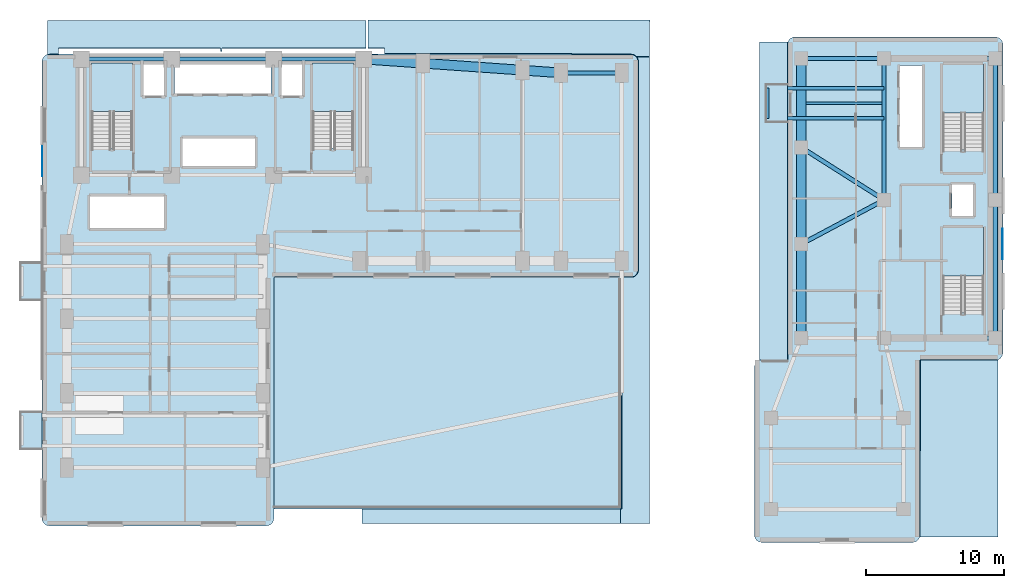
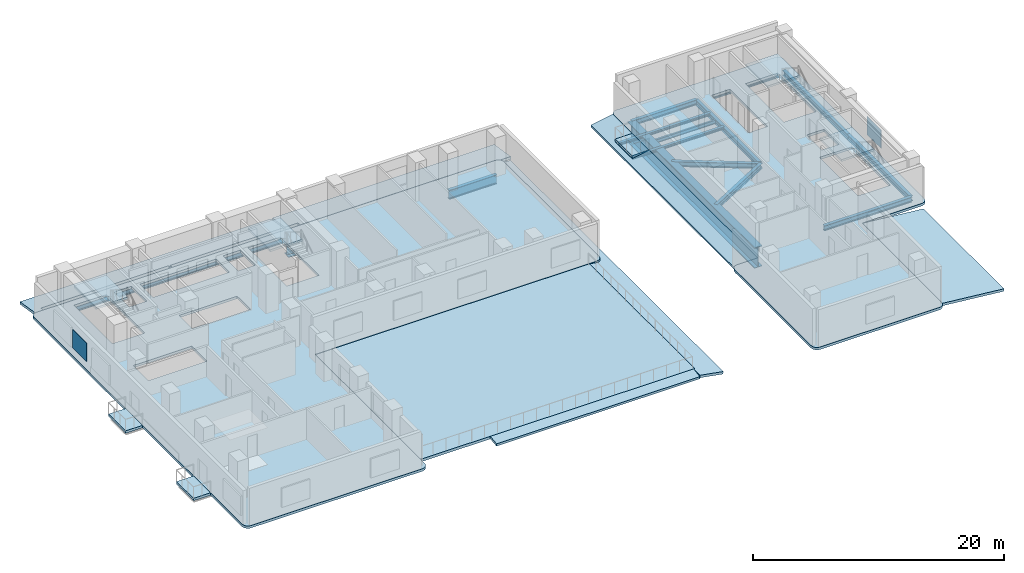
# One storey, part 2 of 10: 18 beams, 16 slabs, 2 plates, 4 elements without a shape of their own.
"""IFC4 building model written with IfcOpenShell, lengths in metres."""

from ifc_helpers import new_model, si_unit, direction, frame, origin, origin_2d, place, context, subcontext, project, spatial, polyline, rectangle, i_section, outline, extrude, material, layer, layer_set, material_profile, profile_set, type_object, element, aggregate, save


model = new_model("IFC4")

# Units and contexts
model_context = context("Model", 3, precision=1e-05, world=origin(), true_north=direction((0.0, 1.0)))
body_context = subcontext(model_context, "Body", "Model", "MODEL_VIEW")
ifc_project = project(units=[si_unit("LENGTHUNIT", "METRE"), si_unit("AREAUNIT", "SQUARE_METRE"), si_unit("VOLUMEUNIT", "CUBIC_METRE"), si_unit("PLANEANGLEUNIT", "RADIAN"), si_unit("MASSUNIT", "GRAM", prefix="KILO")], contexts=[model_context])

# Site, building, storey
site_placement = place(None, origin())
site = spatial("IfcSite", under=ifc_project, at=site_placement, CompositionType="ELEMENT")
building_placement = place(site_placement, origin())
building = spatial("IfcBuilding", under=site, at=building_placement, Name="Kuzgunbayir Cultural Tower", CompositionType="ELEMENT")
storey_placement = place(building_placement, frame((0.0, 0.0, 26.39990234375)))
storey = spatial("IfcBuildingStorey", under=building, at=storey_placement, Name="L06", CompositionType="ELEMENT", Elevation=26.39990234375)

# Beams
ifc_material_1 = material(Name="Steel S355J2", Category="steel")
ifc_material_profile_1 = material_profile(ifc_material_1, i_section(OverallWidth=0.260009765625, OverallDepth=0.260009765625, WebThickness=0.010009765625, FlangeThickness=0.017578125, FilletRadius=0.02392578125, at=origin_2d()), Name="HEB 260")
ifc_profile_set_1 = profile_set([ifc_material_profile_1], Name="Steel S355J2")
beam_type_1 = type_object("IfcBeamType", Name="BM-BAL-HEB260", PredefinedType="BEAM", material=ifc_profile_set_1)
for number, where, z_axis, x_axis, name in (
    (1, (56.159912109375, 37.89990234375, -0.369873046875), (1.0, 0.0, 0.0), (0.0, 1.0, 0.0), "L06 Companion Balcony Outrigger BAL-L06-T2W3.1"),
    (2, (56.159912109375, 40.10009765625, -0.369873046875), (1.0, 0.0, 0.0), (0.0, 1.0, 0.0), "L06 Companion Balcony Outrigger BAL-L06-T2W3.2"),
):
    element("IfcBeam", number, at=place(storey_placement, frame(where, z_axis=z_axis, x_axis=x_axis)), inside=storey, type_object=beam_type_1, Name=name, PredefinedType="BEAM", context=body_context, shape_type="SweptSolid", body=[
        extrude(i_section(OverallWidth=0.260009765625, OverallDepth=0.260009765625, WebThickness=0.010009765625, FlangeThickness=0.017578125, FilletRadius=0.02392578125, at=origin_2d()), origin(), (0.0, 0.0, 1.0), 8.440185546875),
    ])
ifc_material_profile_2 = material_profile(ifc_material_1, i_section(OverallWidth=0.199951171875, OverallDepth=0.199951171875, WebThickness=0.009033203125, FlangeThickness=0.014892578125, FilletRadius=0.01806640625, at=origin_2d()), Name="HEB 200")
ifc_profile_set_2 = profile_set([ifc_material_profile_2], Name="Steel S355J2")
beam_type_2 = type_object("IfcBeamType", Name="BM-CAN-HEB200", PredefinedType="BEAM", material=ifc_profile_set_2)
beam_1_placement = place(storey_placement, frame((56.159912109375, 37.89990234375, -0.33984375), z_axis=(0.0, 1.0, 0.0), x_axis=(-1.0, 0.0, 0.0)))
element("IfcBeam", 3, at=beam_1_placement, inside=storey, type_object=beam_type_2, Name="L06 Companion Balcony Header BAL-L06-T2W3", PredefinedType="BEAM", context=body_context, shape_type="SweptSolid", body=[
    extrude(i_section(OverallWidth=0.199951171875, OverallDepth=0.199951171875, WebThickness=0.009033203125, FlangeThickness=0.014892578125, FilletRadius=0.01806640625, at=origin_2d()), origin(), (0.0, 0.0, 1.0), 2.2001953125),
])
ifc_material_profile_3 = material_profile(ifc_material_1, i_section(OverallWidth=0.300048828125, OverallDepth=0.5, WebThickness=0.014404296875, FlangeThickness=0.028076171875, FilletRadius=0.027099609375, at=origin_2d()), Name="HEB 500")
ifc_profile_set_3 = profile_set([ifc_material_profile_3], Name="Steel S355J2")
beam_type_3 = type_object("IfcBeamType", Name="BM-GIR-HEB500", PredefinedType="BEAM", material=ifc_profile_set_3)
beam_2_placement = place(storey_placement, frame((58.60009765625, 28.800048828125, -0.489990234375), z_axis=(0.882355922736, 0.470582644828, 0.0), x_axis=(-0.470582644828, 0.882355922736, 0.0)))
element("IfcBeam", 4, at=beam_2_placement, inside=storey, type_object=beam_type_3, Name="L06 Companion Transverse Girder 2", PredefinedType="BEAM", context=body_context, shape_type="SweptSolid", body=[
    extrude(i_section(OverallWidth=0.300048828125, OverallDepth=0.5, WebThickness=0.014404296875, FlangeThickness=0.028076171875, FilletRadius=0.027099609375, at=origin_2d()), origin(), (0.0, 0.0, 1.0), 6.800048828125),
])
beam_3_placement = place(storey_placement, frame((58.60009765625, 35.800048828125, -0.489990234375), z_axis=(0.844815967829, -0.535056988088, 0.0), x_axis=(0.535056988088, 0.844815967829, 0.0)))
element("IfcBeam", 5, at=beam_3_placement, inside=storey, type_object=beam_type_3, Name="L06 Companion Transverse Girder 3", PredefinedType="BEAM", context=body_context, shape_type="SweptSolid", body=[
    extrude(i_section(OverallWidth=0.300048828125, OverallDepth=0.5, WebThickness=0.014404296875, FlangeThickness=0.028076171875, FilletRadius=0.027099609375, at=origin_2d()), origin(), (0.0, 0.0, 1.0), 7.10205078125),
])
beam_4_placement = place(storey_placement, frame((58.60009765625, 42.25, -0.489990234375), z_axis=(1.0, 0.0, 0.0), x_axis=(0.0, 1.0, 0.0)))
element("IfcBeam", 6, at=beam_4_placement, inside=storey, type_object=beam_type_3, Name="L06 Companion Transverse Girder 4", PredefinedType="BEAM", context=body_context, shape_type="SweptSolid", body=[
    extrude(i_section(OverallWidth=0.300048828125, OverallDepth=0.5, WebThickness=0.014404296875, FlangeThickness=0.028076171875, FilletRadius=0.027099609375, at=origin_2d()), origin(), (0.0, 0.0, 1.0), 6.0),
])
beam_5_placement = place(storey_placement, frame((64.60009765625, 32.0, -0.489990234375), z_axis=(0.0, 1.0, 0.0), x_axis=(-1.0, 0.0, 0.0)))
element("IfcBeam", 7, at=beam_5_placement, inside=storey, type_object=beam_type_3, Name="L06 Companion Core West Girder 2", PredefinedType="BEAM", context=body_context, shape_type="SweptSolid", body=[
    extrude(i_section(OverallWidth=0.300048828125, OverallDepth=0.5, WebThickness=0.014404296875, FlangeThickness=0.028076171875, FilletRadius=0.027099609375, at=origin_2d()), origin(), (0.0, 0.0, 1.0), 10.25),
])
beam_6_placement = place(storey_placement, frame((72.64990234375, 22.0, -0.489990234375), z_axis=(0.0, 1.0, 0.0), x_axis=(-1.0, 0.0, 0.0)))
element("IfcBeam", 8, at=beam_6_placement, inside=storey, type_object=beam_type_3, Name="L06 Companion Core East Girder 1", PredefinedType="BEAM", context=body_context, shape_type="SweptSolid", body=[
    extrude(i_section(OverallWidth=0.300048828125, OverallDepth=0.5, WebThickness=0.014404296875, FlangeThickness=0.028076171875, FilletRadius=0.027099609375, at=origin_2d()), origin(), (0.0, 0.0, 1.0), 10.0),
])
beam_7_placement = place(storey_placement, frame((72.64990234375, 32.0, -0.489990234375), z_axis=(0.0, 1.0, 0.0), x_axis=(-1.0, 0.0, 0.0)))
element("IfcBeam", 9, at=beam_7_placement, inside=storey, type_object=beam_type_3, Name="L06 Companion Core East Girder 2", PredefinedType="BEAM", context=body_context, shape_type="SweptSolid", body=[
    extrude(i_section(OverallWidth=0.300048828125, OverallDepth=0.5, WebThickness=0.014404296875, FlangeThickness=0.028076171875, FilletRadius=0.027099609375, at=origin_2d()), origin(), (0.0, 0.0, 1.0), 10.25),
])
for number, where, z_axis, x_axis, name in (
    (10, (64.60009765625, 22.0, -0.489990234375), (1.0, 0.0, 0.0), (0.0, 1.0, 0.0), "L06 Companion Core South Girder"),
    (11, (64.60009765625, 42.25, -0.489990234375), (1.0, 0.0, 0.0), (0.0, 1.0, 0.0), "L06 Companion Core North Girder"),
):
    element("IfcBeam", number, at=place(storey_placement, frame(where, z_axis=z_axis, x_axis=x_axis)), inside=storey, type_object=beam_type_3, Name=name, PredefinedType="BEAM", context=body_context, shape_type="SweptSolid", body=[
        extrude(i_section(OverallWidth=0.300048828125, OverallDepth=0.5, WebThickness=0.014404296875, FlangeThickness=0.028076171875, FilletRadius=0.027099609375, at=origin_2d()), origin(), (0.0, 0.0, 1.0), 8.0498046875),
    ])
ifc_material_profile_4 = material_profile(ifc_material_1, i_section(OverallWidth=0.300048828125, OverallDepth=0.60009765625, WebThickness=0.015380859375, FlangeThickness=0.030029296875, FilletRadius=0.027099609375, at=origin_2d()), Name="HEB 600")
ifc_profile_set_4 = profile_set([ifc_material_profile_4], Name="Steel S355J2")
beam_type_4 = type_object("IfcBeamType", Name="BM-GIR-HEB600", PredefinedType="BEAM", material=ifc_profile_set_4)
beam_8_placement = place(storey_placement, frame((6.449951171875, 42.199951171875, -0.539794921875), z_axis=(1.0, 0.0, 0.0), x_axis=(0.0, 1.0, 0.0)))
element("IfcBeam", 12, at=beam_8_placement, inside=storey, type_object=beam_type_4, Name="L06 Core North Girder 1", PredefinedType="BEAM", context=body_context, shape_type="SweptSolid", body=[
    extrude(i_section(OverallWidth=0.300048828125, OverallDepth=0.60009765625, WebThickness=0.015380859375, FlangeThickness=0.030029296875, FilletRadius=0.027099609375, at=origin_2d()), origin(), (0.0, 0.0, 1.0), 6.550048828125),
])
beam_9_placement = place(storey_placement, frame((13.0, 42.199951171875, -0.539794921875), z_axis=(1.0, 0.0, 0.0), x_axis=(0.0, 1.0, 0.0)))
element("IfcBeam", 13, at=beam_9_placement, inside=storey, type_object=beam_type_4, Name="L06 Core North Girder 2", PredefinedType="BEAM", context=body_context, shape_type="SweptSolid", body=[
    extrude(i_section(OverallWidth=0.300048828125, OverallDepth=0.60009765625, WebThickness=0.015380859375, FlangeThickness=0.030029296875, FilletRadius=0.027099609375, at=origin_2d()), origin(), (0.0, 0.0, 1.0), 7.39990234375),
])
beam_10_placement = place(storey_placement, frame((20.39990234375, 42.199951171875, -0.539794921875), z_axis=(1.0, 0.0, 0.0), x_axis=(0.0, 1.0, 0.0)))
element("IfcBeam", 14, at=beam_10_placement, inside=storey, type_object=beam_type_4, Name="L06 Core North Girder 3", PredefinedType="BEAM", context=body_context, shape_type="SweptSolid", body=[
    extrude(i_section(OverallWidth=0.300048828125, OverallDepth=0.60009765625, WebThickness=0.015380859375, FlangeThickness=0.030029296875, FilletRadius=0.027099609375, at=origin_2d()), origin(), (0.0, 0.0, 1.0), 6.5),
])
ifc_material_2 = material(Name="Steel S460M", Category="steel")
ifc_material_profile_5 = material_profile(ifc_material_2, i_section(OverallWidth=0.300048828125, OverallDepth=0.89990234375, WebThickness=0.0185546875, FlangeThickness=0.034912109375, FilletRadius=0.030029296875, at=origin_2d()), Name="HEB 900")
ifc_profile_set_5 = profile_set([ifc_material_profile_5], Name="Steel S460M")
beam_type_5 = type_object("IfcBeamType", Name="BM-GIR-HEB900", PredefinedType="BEAM", material=ifc_profile_set_5)
beam_11_placement = place(storey_placement, frame((41.199951171875, 41.199951171875, -0.68994140625), z_axis=(1.0, 0.0, 0.0), x_axis=(0.0, 1.0, 0.0)))
element("IfcBeam", 15, at=beam_11_placement, inside=storey, type_object=beam_type_5, Name="L06 Wing B East North Girder", PredefinedType="BEAM", context=body_context, shape_type="SweptSolid", body=[
    extrude(i_section(OverallWidth=0.300048828125, OverallDepth=0.89990234375, WebThickness=0.0185546875, FlangeThickness=0.034912109375, FilletRadius=0.030029296875, at=origin_2d()), origin(), (0.0, 0.0, 1.0), 4.400146484375),
])
ifc_material_profile_6 = material_profile(ifc_material_1, i_section(OverallWidth=0.169921875, OverallDepth=0.360107421875, WebThickness=0.008056640625, FlangeThickness=0.0126953125, FilletRadius=0.01806640625, at=origin_2d()), Name="IPE 360")
ifc_profile_set_6 = profile_set([ifc_material_profile_6], Name="Steel S355J2")
beam_type_6 = type_object("IfcBeamType", Name="BM-JST-IPE360", PredefinedType="JOIST", material=ifc_profile_set_6)
beam_12_placement = place(storey_placement, frame((58.949951171875, 39.0, -0.419921875), z_axis=(1.0, 0.0, 0.0), x_axis=(0.0, 1.0, 0.0)))
element("IfcBeam", 16, at=beam_12_placement, inside=storey, type_object=beam_type_6, Name="L06 Companion Joist", PredefinedType="JOIST", context=body_context, shape_type="SweptSolid", body=[
    extrude(i_section(OverallWidth=0.169921875, OverallDepth=0.360107421875, WebThickness=0.008056640625, FlangeThickness=0.0126953125, FilletRadius=0.01806640625, at=origin_2d()), origin(), (0.0, 0.0, 1.0), 5.5),
])
ifc_material_profile_7 = material_profile(ifc_material_2, i_section(OverallWidth=0.699951171875, OverallDepth=2.0, WebThickness=0.035888671875, FlangeThickness=0.06005859375, at=origin_2d()), Name="PG 2000x700x36x60")
ifc_profile_set_7 = profile_set([ifc_material_profile_7], Name="Steel S460M")
beam_type_7 = type_object("IfcBeamType", Name="BM-TR-PG2000", PredefinedType="BEAM", material=ifc_profile_set_7)
beam_13_placement = place(storey_placement, frame((26.89990234375, 42.199951171875, -1.239990234375), z_axis=(0.997563840671, -0.06975947094, 0.0), x_axis=(0.06975947094, 0.997563840671, 0.0)))
element("IfcBeam", 17, at=beam_13_placement, inside=storey, type_object=beam_type_7, Name="L06 Wing B North Transfer Girder", PredefinedType="BEAM", context=body_context, shape_type="SweptSolid", body=[
    extrude(i_section(OverallWidth=0.699951171875, OverallDepth=2.0, WebThickness=0.035888671875, FlangeThickness=0.06005859375, at=origin_2d()), origin(), (0.0, 0.0, 1.0), 14.3349609375),
])
beam_14_placement = place(storey_placement, frame((58.60009765625, 22.0, -1.239990234375), z_axis=(0.0, 1.0, 0.0), x_axis=(-1.0, 0.0, 0.0)))
element("IfcBeam", 18, at=beam_14_placement, inside=storey, type_object=beam_type_7, Name="L06 Companion Wing A Transfer Girder", PredefinedType="BEAM", context=body_context, shape_type="SweptSolid", body=[
    extrude(i_section(OverallWidth=0.699951171875, OverallDepth=2.0, WebThickness=0.035888671875, FlangeThickness=0.06005859375, at=origin_2d()), origin(), (0.0, 0.0, 1.0), 20.25),
])

# Plates
ifc_material_3 = material(Name="Perforated Bronze-Anodised Aluminium", Category="aluminium")
ifc_layer_1 = layer(ifc_material_3, 0.02392578125)
ifc_layer_set_1 = layer_set([ifc_layer_1], Name="Perforated Bronze-Anodised Aluminium")
plate_type = type_object("IfcPlateType", Name="PLT-SOLAR-SCREEN-14", PredefinedType="SHEET", material=ifc_layer_set_1)
for number, where, z_axis, x_axis, name in (
    (19, (3.6298828125, 34.800048828125, 0.75), (0.0, 0.0, 1.0), (1.0, 0.0, 0.0), "L06 Tower 1 Perforated Ceramic Solar Screen Panel"),
    (20, (73.169921875, 28.800048828125, 0.75), (0.0, 0.0, 1.0), (1.0, 0.0, 0.0), "L06 Companion Perforated Ceramic Solar Screen Panel"),
):
    element("IfcPlate", number, at=place(storey_placement, frame(where, z_axis=z_axis, x_axis=x_axis)), inside=storey, type_object=plate_type, Name=name, PredefinedType="SHEET", context=body_context, shape_type="SweptSolid", body=[
        extrude(rectangle(XDim=0.02392578125, YDim=2.199951171875, at=origin_2d()), origin(), (0.0, 0.0, 1.0), 1.800048828125),
    ])

# Slabs
ifc_material_4 = material(Name="Concrete C40/50", Category="concrete")
ifc_layer_2 = layer(ifc_material_4, 0.239990234375)
ifc_layer_set_2 = layer_set([ifc_layer_2], Name="Concrete C40/50")
slab_type_1 = type_object("IfcSlabType", Name="SLB-BAL-TRN", PredefinedType="FLOOR", material=ifc_layer_set_2)
slab_1_placement = place(storey_placement, frame((0.0, 0.0, -0.239990234375)))
element("IfcSlab", 21, at=slab_1_placement, inside=storey, type_object=slab_type_1, Name="L06 Projecting Limestone Balcony BAL-L06-WA1", PredefinedType="FLOOR", context=body_context, shape_type="SweptSolid", body=[
    extrude(outline(polyline([(2.0400390625, 13.949951171875), (3.60009765625, 13.949951171875), (3.60009765625, 16.64990234375), (2.0400390625, 16.64990234375), (2.0400390625, 13.949951171875)])), origin(), (0.0, 0.0, 1.0), 0.239990234375),
])
slab_2_placement = place(storey_placement, frame((0.0, 0.0, -0.239990234375)))
element("IfcSlab", 22, at=slab_2_placement, inside=storey, type_object=slab_type_1, Name="L06 Projecting Limestone Balcony BAL-L06-WA3", PredefinedType="FLOOR", context=body_context, shape_type="SweptSolid", body=[
    extrude(outline(polyline([(2.0400390625, 24.75), (3.60009765625, 24.75), (3.60009765625, 27.449951171875), (2.0400390625, 27.449951171875), (2.0400390625, 24.75)])), origin(), (0.0, 0.0, 1.0), 0.239990234375),
])
slab_3_placement = place(storey_placement, frame((0.0, 0.0, -0.239990234375)))
element("IfcSlab", 23, at=slab_3_placement, inside=storey, type_object=slab_type_1, Name="L06 Projecting Limestone Balcony BAL-L06-T2W3", PredefinedType="FLOOR", context=body_context, shape_type="SweptSolid", body=[
    extrude(outline(polyline([(56.0400390625, 37.64990234375), (57.60009765625, 37.64990234375), (57.60009765625, 40.35009765625), (56.0400390625, 40.35009765625), (56.0400390625, 37.64990234375)])), origin(), (0.0, 0.0, 1.0), 0.239990234375),
])
ifc_layer_3 = layer(ifc_material_4, 0.260009765625)
ifc_layer_set_3 = layer_set([ifc_layer_3], Name="Concrete C40/50")
slab_type_2 = type_object("IfcSlabType", Name="SLB-GARDEN-260", PredefinedType="FLOOR", material=ifc_layer_set_3)
slab_4_placement = place(storey_placement, frame((0.0, 0.0, -0.260009765625)))
element("IfcSlab", 24, at=slab_4_placement, inside=storey, type_object=slab_type_2, Name="L06 Stepped Sculpture Roof Garden", PredefinedType="FLOOR", context=body_context, shape_type="SweptSolid", body=[
    extrude(outline(polyline([(20.419921875, 9.60009765625), (45.60009765625, 9.60009765625), (45.60009765625, 26.3798828125), (20.419921875, 26.3798828125), (20.419921875, 9.60009765625)])), origin(), (0.0, 0.0, 1.0), 0.260009765625),
])

# Stair, slab
stair_type = type_object("IfcStairType", Name="STR-EXIT-CORE", PredefinedType="HALF_TURN_STAIR", material=ifc_material_4)
stair_1_placement = place(storey_placement, origin())
stair_1 = element("IfcStair", 25, at=stair_1_placement, inside=storey, type_object=stair_type, Name="L06 ST-1", PredefinedType="HALF_TURN_STAIR")
ifc_layer_4 = layer(ifc_material_4, 0.179931640625)
ifc_layer_set_4 = layer_set([ifc_layer_4], Name="Concrete C40/50")
slab_type_3 = type_object("IfcSlabType", Name="SLB-LANDING-180", PredefinedType="LANDING", material=ifc_layer_set_4)
slab_5_placement = place(storey_placement, frame((0.0, 0.0, 1.7001953125)))
slab_5 = element("IfcSlab", 26, at=slab_5_placement, type_object=slab_type_3, Name="ST-1 landing 1", PredefinedType="LANDING", context=body_context, shape_type="SweptSolid", body=[
    extrude(outline(polyline([(10.159912109375, 38.39990234375), (10.159912109375, 41.89990234375), (7.199951171875, 41.89990234375), (7.199951171875, 38.39990234375), (10.159912109375, 38.39990234375)])), origin(), (0.0, 0.0, 1.0), 0.199951171875),
])
aggregate(stair_1, [slab_5])

stair_2_placement = place(storey_placement, origin())
stair_2 = element("IfcStair", 27, at=stair_2_placement, inside=storey, type_object=stair_type, Name="L06 ST-2", PredefinedType="HALF_TURN_STAIR")
slab_6_placement = place(storey_placement, frame((0.0, 0.0, 1.7001953125)))
slab_6 = element("IfcSlab", 28, at=slab_6_placement, type_object=slab_type_3, Name="ST-2 landing 1", PredefinedType="LANDING", context=body_context, shape_type="SweptSolid", body=[
    extrude(outline(polyline([(26.159912109375, 38.39990234375), (26.159912109375, 41.89990234375), (23.199951171875, 41.89990234375), (23.199951171875, 38.39990234375), (26.159912109375, 38.39990234375)])), origin(), (0.0, 0.0, 1.0), 0.199951171875),
])
aggregate(stair_2, [slab_6])

stair_3_placement = place(storey_placement, origin())
stair_3 = element("IfcStair", 29, at=stair_3_placement, inside=storey, type_object=stair_type, Name="L06 ST-3", PredefinedType="HALF_TURN_STAIR")
slab_7_placement = place(storey_placement, frame((0.0, 0.0, 1.7001953125)))
slab_7 = element("IfcSlab", 30, at=slab_7_placement, type_object=slab_type_3, Name="ST-3 landing 1", PredefinedType="LANDING", context=body_context, shape_type="SweptSolid", body=[
    extrude(outline(polyline([(71.800048828125, 26.5), (71.800048828125, 30.0), (68.840087890625, 30.0), (68.840087890625, 26.5), (71.800048828125, 26.5)])), origin(), (0.0, 0.0, 1.0), 0.199951171875),
])
aggregate(stair_3, [slab_7])

stair_4_placement = place(storey_placement, origin())
stair_4 = element("IfcStair", 31, at=stair_4_placement, inside=storey, type_object=stair_type, Name="L06 ST-4", PredefinedType="HALF_TURN_STAIR")
slab_8_placement = place(storey_placement, frame((0.0, 0.0, 1.7001953125)))
slab_8 = element("IfcSlab", 32, at=slab_8_placement, type_object=slab_type_3, Name="ST-4 landing 1", PredefinedType="LANDING", context=body_context, shape_type="SweptSolid", body=[
    extrude(outline(polyline([(71.800048828125, 38.300048828125), (71.800048828125, 41.800048828125), (68.840087890625, 41.800048828125), (68.840087890625, 38.300048828125), (71.800048828125, 38.300048828125)])), origin(), (0.0, 0.0, 1.0), 0.199951171875),
])
aggregate(stair_4, [slab_8])

# Slabs
ifc_layer_5 = layer(ifc_material_4, 0.239990234375)
ifc_layer_set_5 = layer_set([ifc_layer_5], Name="Concrete C40/50")
slab_type_4 = type_object("IfcSlabType", Name="SLB-ROOF-POD-240", PredefinedType="ROOF", material=ifc_layer_set_5)
slab_9_placement = place(storey_placement, frame((47.639892578125, 45.030029296875, -0.4208984375), z_axis=(-5.82689e-07, 0.158045067655, 0.987431899722), x_axis=(-1.0, -9.2091e-08, -5.75365e-07)))
element("IfcSlab", 33, at=slab_9_placement, inside=storey, type_object=slab_type_4, Name="L06 Podium Lean-to Roof Slab 1", PredefinedType="ROOF", context=body_context, shape_type="SweptSolid", body=[
    extrude(outline(polyline([(0.0, 0.0), (20.419921874996533, 0.0), (20.41992187497845, 2.055872615049519), (19.23999023435365, 2.055872615049519), (19.239990234377927, 2.460858274100141), (5.639892578130237, 2.460858274100141), (5.639892578103775, 2.511551395847153), (1.3398437499795048, 2.511551395847153), (1.2399902341525713, 2.52174403950679), (1.1499023439050255, 2.5520518739345297), (1.0598144530341191, 2.592668107686692), (0.9899902344156485, 2.6635921758665955), (0.01977539066581312, 2.6635921758665955), (0.01977539055456351, 0.08111671183953902), (-7.043313095303802e-11, 0.08111671183953902), (0.0, 0.0)])), origin(), (0.0, 0.0, -1.0), 0.239990234375),
])
slab_10_placement = place(storey_placement, frame((27.070068359375, 44.97998046875, -0.412841796875), z_axis=(2.042041e-06, 0.158038531023, 0.98743294593), x_axis=(-0.999999999998, 3.22721e-07, 2.016378e-06)))
element("IfcSlab", 34, at=slab_10_placement, inside=storey, type_object=slab_type_4, Name="L06 Podium Lean-to Roof Slab 2", PredefinedType="ROOF", context=body_context, shape_type="SweptSolid", body=[
    extrude(outline(polyline([(0.0, 0.0), (23.050048828076942, -2.4405188491552813e-21), (23.050048827523575, 0.020230948227223107), (23.050048828796378, 2.47105091548168), (22.92016601558877, 2.4608582741165925), (22.270019531215127, 2.4608582741165925), (22.270019531201317, 2.0051794933537517), (10.530029296850792, 2.0051794933537517), (10.530029296810987, 2.207672323012536), (10.410156249936238, 2.207672323012536), (10.410156249976042, 2.0051794933537517), (-2.254808669260565e-12, 2.0051794933537517), (0.0, 0.0)])), origin(), (0.0, 0.0, -1.0), 0.239990234375),
])
slab_11_placement = place(storey_placement, frame((47.6201171875, 8.64990234375, -0.3818359375), z_axis=(0.177393236622, 2.23713e-07, 0.984140050806), x_axis=(-3.9685e-08, 1.0, -2.20165e-07)))
element("IfcSlab", 35, at=slab_11_placement, inside=storey, type_object=slab_type_4, Name="L06 Podium Lean-to Roof Slab 3", PredefinedType="ROOF", context=body_context, shape_type="SweptSolid", body=[
    extrude(outline(polyline([(0.0, 0.0), (33.749999999999154, 0.0), (33.74999999996269, 0.9858797638090075), (33.68017578133458, 0.9145840046881677), (33.59008789062566, 0.8739673106067157), (33.499999999937714, 0.8435047900456267), (33.4001464843455, 0.8333073076296039), (18.24999999997087, 0.8333073076296039), (18.1501464843131, 0.8435047900456267), (17.970214843834974, 0.9145840046881677), (17.830078124885258, 1.0568919454670962), (17.76000976561916, 1.239883613311929), (17.749999999979273, 1.3413583155311066), (17.750000000069896, 2.1542273494330053), (17.729980468819896, 2.1542273494330053), (17.729980468771338, 2.0525556875423963), (0.950195312521759, 2.0525556875423963), (0.9501953125703142, 2.1542273494330053), (-0.06982421867966035, 2.1542273494330053), (-0.06982421883602251, -0.020024769577974878), (-8.602426773634103e-11, -0.020024769577974878), (0.0, 0.0)])), origin(), (0.0, 0.0, -1.0), 0.239990234375),
])
slab_12_placement = place(storey_placement, frame((45.5, 8.580078125, -0.121826171875), z_axis=(0.0, -0.118592286777, 0.992943034377), x_axis=(0.0, 0.992943034377, 0.118592286777)))
element("IfcSlab", 36, at=slab_12_placement, inside=storey, type_object=slab_type_4, Name="L06 Podium Lean-to Roof Slab 4", PredefinedType="ROOF", context=body_context, shape_type="SweptSolid", body=[
    extrude(outline(polyline([(0.0, 0.0), (1.0272689327947122, 0.0), (1.0272689327947122, 18.699951171875), (0.0, 18.699951171875), (0.0, 0.0)])), origin(), (0.0, 0.0, -1.0), 0.239990234375),
])
slab_13_placement = place(storey_placement, frame((57.60009765625, 43.429931640625, 0.0), z_axis=(-0.176926964287, 0.0, 0.984223983303), x_axis=(-0.984223983303, 0.0, -0.176926964287)))
element("IfcSlab", 37, at=slab_13_placement, inside=storey, type_object=slab_type_4, Name="L06 Podium Lean-to Roof Slab 5", PredefinedType="ROOF", context=body_context, shape_type="SweptSolid", body=[
    extrude(outline(polyline([(0.0, 0.0), (2.062580134953813, 0.0), (2.062580134953813, 23.030029296875), (0.0, 23.030029296875), (0.0, 5.780029296875), (1.5851645969722747, 5.780029296875), (1.5851645969722747, 3.079833984375), (0.0, 3.079833984375), (0.0, 0.0)])), origin(), (0.0, 0.0, -1.0), 0.239990234375),
])
slab_14_placement = place(storey_placement, frame((67.199951171875, 7.580078125, 0.0), z_axis=(0.099501581077, -2.839894e-06, 0.995037403998), x_axis=(0.995037404002, 1.8e-11, -0.099501581078)))
element("IfcSlab", 38, at=slab_14_placement, inside=storey, type_object=slab_type_4, Name="L06 Podium Lean-to Roof Slab 6", PredefinedType="ROOF", context=body_context, shape_type="SweptSolid", body=[
    extrude(outline(polyline([(0.0, 0.0), (5.668262392466718, 0.0), (5.668262392700558, 12.819824218698304), (0.03017178237865867, 12.81982421890454), (0.0, 0.0)])), origin(), (0.0, 0.0, -1.0), 0.239990234375),
])
ifc_layer_6 = layer(ifc_material_4, 0.239990234375)
ifc_layer_set_6 = layer_set([ifc_layer_6], Name="Concrete C40/50")
slab_type_5 = type_object("IfcSlabType", Name="SLB-TRN-240", PredefinedType="FLOOR", material=ifc_layer_set_6)
slab_15_placement = place(storey_placement, frame((0.0, 0.0, -0.239990234375)))
element("IfcSlab", 39, at=slab_15_placement, inside=storey, type_object=slab_type_5, Name="L06 Tower 1 Floor Slab T1-MAIN", PredefinedType="FLOOR", context=body_context, shape_type="SweptSolid", body=[
    extrude(outline(polyline([(20.39990234375, 8.949951171875), (20.389892578125, 8.840087890625), (20.360107421875, 8.739990234375), (20.31005859375, 8.639892578125), (20.239990234375, 8.56005859375), (20.159912109375, 8.489990234375), (20.06005859375, 8.43994140625), (19.9599609375, 8.409912109375), (19.85009765625, 8.39990234375), (4.14990234375, 8.39990234375), (4.0400390625, 8.409912109375), (3.93994140625, 8.43994140625), (3.840087890625, 8.489990234375), (3.760009765625, 8.56005859375), (3.68994140625, 8.639892578125), (3.639892578125, 8.739990234375), (3.610107421875, 8.840087890625), (3.60009765625, 8.949951171875), (3.60009765625, 42.0), (3.610107421875, 42.110107421875), (3.639892578125, 42.2099609375), (3.68994140625, 42.31005859375), (3.760009765625, 42.389892578125), (3.840087890625, 42.4599609375), (3.93994140625, 42.510009765625), (4.0400390625, 42.5400390625), (4.14990234375, 42.550048828125), (46.25, 42.550048828125), (46.360107421875, 42.5400390625), (46.4599609375, 42.510009765625), (46.56005859375, 42.4599609375), (46.639892578125, 42.389892578125), (46.7099609375, 42.31005859375), (46.760009765625, 42.2099609375), (46.7900390625, 42.110107421875), (46.800048828125, 42.0), (46.800048828125, 26.949951171875), (46.7900390625, 26.840087890625), (46.760009765625, 26.739990234375), (46.7099609375, 26.639892578125), (46.639892578125, 26.56005859375), (46.56005859375, 26.489990234375), (46.4599609375, 26.43994140625), (46.360107421875, 26.409912109375), (46.25, 26.39990234375), (20.429931640625, 26.39990234375), (20.39990234375, 8.949951171875)]), holes=[polyline([(7.199951171875, 35.760009765625), (7.199951171875, 41.89990234375), (10.159912109375, 41.89990234375), (10.159912109375, 35.760009765625), (7.199951171875, 35.760009765625)]), polyline([(23.199951171875, 35.760009765625), (23.199951171875, 41.89990234375), (26.159912109375, 41.89990234375), (26.159912109375, 35.760009765625), (23.199951171875, 35.760009765625)]), polyline([(13.199951171875, 39.699951171875), (13.199951171875, 41.800048828125), (20.199951171875, 41.800048828125), (20.199951171875, 39.699951171875), (13.199951171875, 39.699951171875)]), polyline([(13.75, 34.39990234375), (13.75, 36.5), (19.080078125, 36.5), (19.080078125, 34.39990234375), (13.75, 34.39990234375)]), polyline([(7.10009765625, 29.89990234375), (7.10009765625, 32.300048828125), (12.5, 32.300048828125), (12.5, 29.89990234375), (7.10009765625, 29.89990234375)]), polyline([(10.89990234375, 39.5), (10.89990234375, 41.89990234375), (12.5, 41.89990234375), (12.5, 39.5), (10.89990234375, 39.5)]), polyline([(20.89990234375, 39.5), (20.89990234375, 41.89990234375), (22.5, 41.89990234375), (22.5, 39.5), (20.89990234375, 39.5)])]), origin(), (0.0, 0.0, 1.0), 0.239990234375),
])
slab_16_placement = place(storey_placement, frame((0.0, 0.0, -0.239990234375)))
element("IfcSlab", 40, at=slab_16_placement, inside=storey, type_object=slab_type_5, Name="L06 Companion Tower 2 Floor Slab", PredefinedType="FLOOR", context=body_context, shape_type="SweptSolid", body=[
    extrude(outline(polyline([(57.60009765625, 20.39990234375), (57.60009765625, 43.25), (57.610107421875, 43.360107421875), (57.639892578125, 43.4599609375), (57.68994140625, 43.56005859375), (57.760009765625, 43.639892578125), (57.840087890625, 43.7099609375), (57.93994140625, 43.760009765625), (58.0400390625, 43.7900390625), (58.14990234375, 43.800048828125), (72.64990234375, 43.800048828125), (72.760009765625, 43.7900390625), (72.860107421875, 43.760009765625), (72.9599609375, 43.7099609375), (73.0400390625, 43.639892578125), (73.110107421875, 43.56005859375), (73.159912109375, 43.4599609375), (73.18994140625, 43.360107421875), (73.199951171875, 43.25), (73.199951171875, 20.949951171875), (73.18994140625, 20.840087890625), (73.159912109375, 20.739990234375), (73.110107421875, 20.639892578125), (73.0400390625, 20.56005859375), (72.9599609375, 20.489990234375), (72.860107421875, 20.43994140625), (72.760009765625, 20.409912109375), (72.64990234375, 20.39990234375), (67.22998046875, 20.39990234375), (67.199951171875, 7.75), (67.18994140625, 7.639892578125), (67.159912109375, 7.5400390625), (67.110107421875, 7.43994140625), (67.0400390625, 7.360107421875), (66.9599609375, 7.2900390625), (66.860107421875, 7.239990234375), (66.760009765625, 7.2099609375), (66.64990234375, 7.199951171875), (55.75, 7.199951171875), (55.639892578125, 7.2099609375), (55.5400390625, 7.239990234375), (55.43994140625, 7.2900390625), (55.360107421875, 7.360107421875), (55.2900390625, 7.43994140625), (55.239990234375, 7.5400390625), (55.2099609375, 7.639892578125), (55.199951171875, 7.75), (55.199951171875, 19.85009765625), (55.2099609375, 19.9599609375), (55.239990234375, 20.06005859375), (55.2900390625, 20.159912109375), (55.360107421875, 20.239990234375), (55.43994140625, 20.31005859375), (55.5400390625, 20.360107421875), (55.639892578125, 20.389892578125), (55.75, 20.39990234375), (57.570068359375, 20.39990234375), (57.60009765625, 20.39990234375)]), holes=[polyline([(68.840087890625, 23.860107421875), (68.840087890625, 30.0), (71.800048828125, 30.0), (71.800048828125, 23.860107421875), (68.840087890625, 23.860107421875)]), polyline([(68.840087890625, 35.659912109375), (68.840087890625, 41.800048828125), (71.800048828125, 41.800048828125), (71.800048828125, 35.659912109375), (68.840087890625, 35.659912109375)]), polyline([(65.699951171875, 35.800048828125), (65.699951171875, 41.75), (67.39990234375, 41.75), (67.39990234375, 35.800048828125), (65.699951171875, 35.800048828125)]), polyline([(69.5, 30.800048828125), (69.5, 33.199951171875), (71.10009765625, 33.199951171875), (71.10009765625, 30.800048828125), (69.5, 30.800048828125)])]), origin(), (0.0, 0.0, 1.0), 0.239990234375),
])

save(model, "model.ifc")
